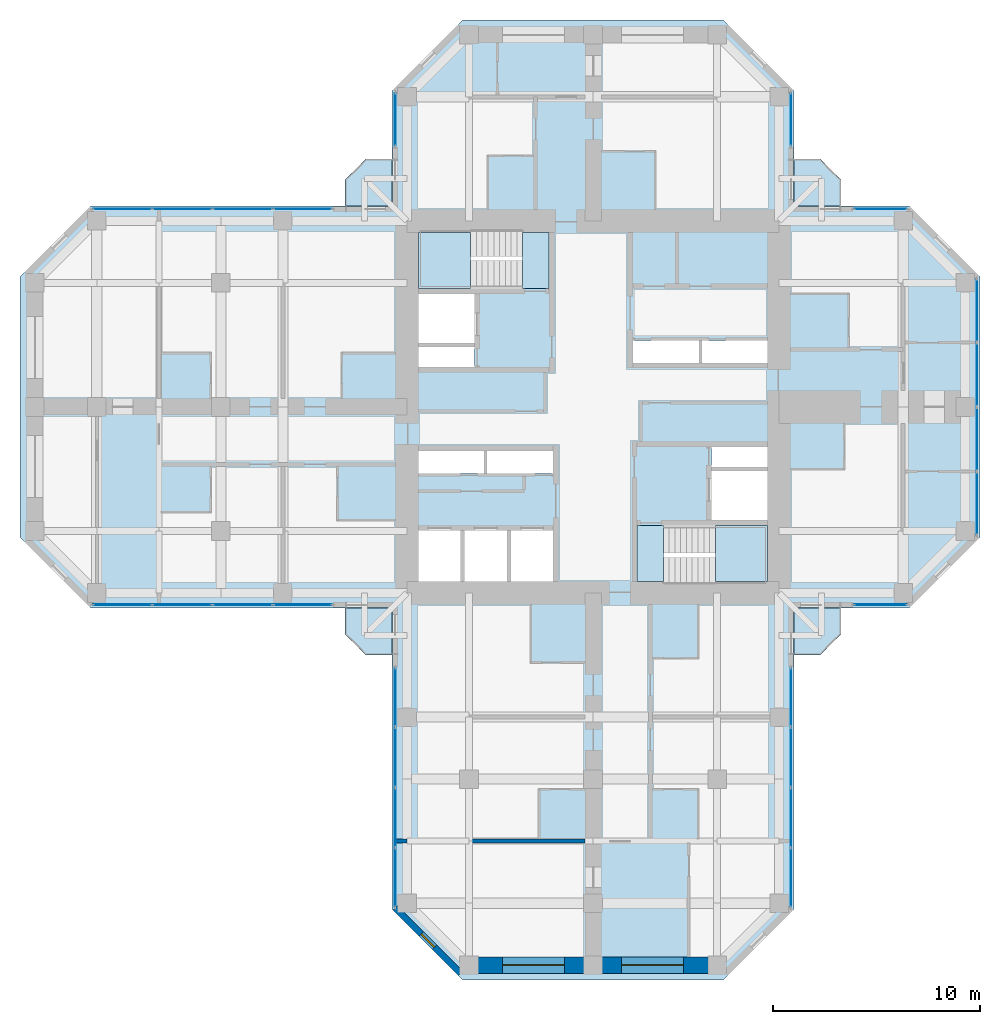
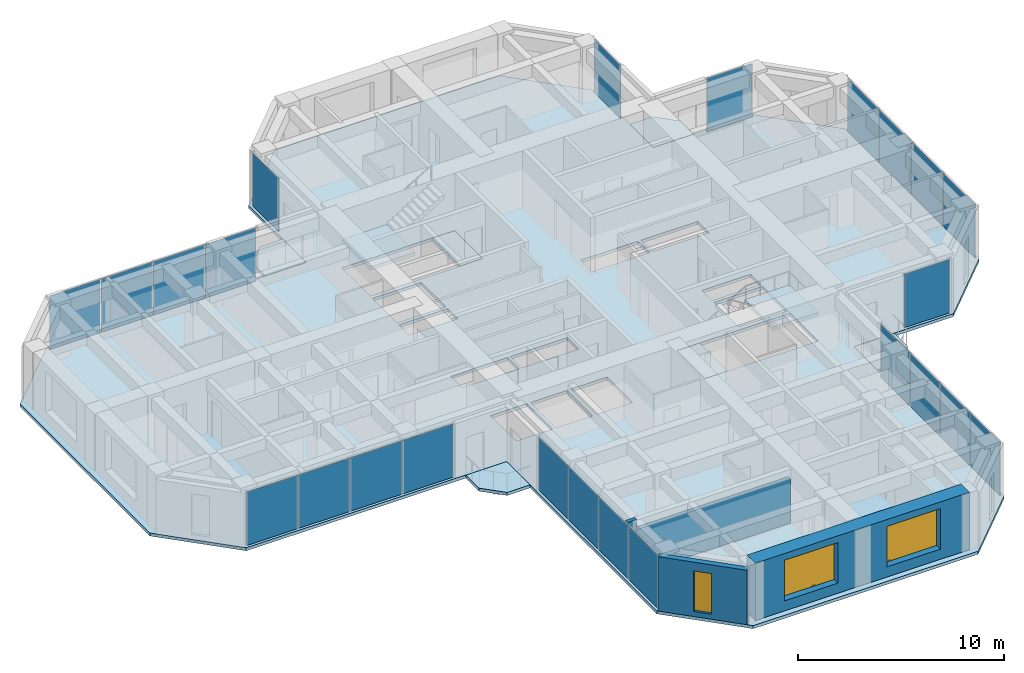
# One storey, part 7 of 14: 24 plates, 9 slabs, 4 walls, 3 windows, 3 openings, 11 elements without a shape of their own.
"""IFC4 building model written with IfcOpenShell, lengths in metres."""

from ifc_helpers import new_model, si_unit, direction, frame, frame_2d, origin, origin_2d, place, context, subcontext, project, spatial, polyline, rectangle, hollow_rectangle, outline, extrude, material, layer, layer_set, constituent, constituent_set, type_object, element, fill, aggregate, save


model = new_model("IFC4")

# Units and contexts
model_context = context("Model", 3, precision=1e-05, world=origin(), true_north=direction((0.0, 1.0)))
body_context = subcontext(model_context, "Body", "Model", "MODEL_VIEW")
ifc_project = project(units=[si_unit("LENGTHUNIT", "METRE"), si_unit("AREAUNIT", "SQUARE_METRE"), si_unit("VOLUMEUNIT", "CUBIC_METRE"), si_unit("PLANEANGLEUNIT", "RADIAN"), si_unit("MASSUNIT", "GRAM", prefix="KILO")], contexts=[model_context])

# Site, building, storey
site_placement = place(None, origin())
site = spatial("IfcSite", under=ifc_project, at=site_placement, CompositionType="ELEMENT")
building_placement = place(site_placement, origin())
building = spatial("IfcBuilding", under=site, at=building_placement, Name="Torre Cruceta", CompositionType="ELEMENT")
storey_placement = place(building_placement, frame((0.0, 0.0, 172.89990234375)))
storey = spatial("IfcBuildingStorey", under=building, at=storey_placement, Name="L42", CompositionType="ELEMENT", Elevation=172.89990234375)

# Slabs
ifc_material_1 = material(Name="Concrete G35 (fck 35 MPa)", Category="concrete")
ifc_layer_1 = layer(ifc_material_1, 0.179931640625)
ifc_layer_set_1 = layer_set([ifc_layer_1], Name="Concrete G35 (fck 35 MPa)")
slab_type_1 = type_object("IfcSlabType", Name="BALCONY SLAB 180", PredefinedType="USERDEFINED", material=ifc_layer_set_1)
slab_1_placement = place(storey_placement, frame((0.0, 0.0, -0.179931640625)))
element("IfcSlab", 1, at=slab_1_placement, inside=storey, type_object=slab_type_1, Name="Balcony slab L42 N", ObjectType="BALCONY", PredefinedType="USERDEFINED", context=body_context, shape_type="SweptSolid", body=[
    extrude(outline(polyline([(-12.0, 11.0), (-11.0, 12.0), (-9.719970703125, 12.0), (-9.719970703125, 9.719970703125), (-12.0, 9.719970703125), (-12.0, 11.0)])), origin(), (0.0, 0.0, 1.0), 0.179931640625),
])
slab_2_placement = place(storey_placement, frame((0.0, 0.0, -0.179931640625)))
element("IfcSlab", 2, at=slab_2_placement, inside=storey, type_object=slab_type_1, Name="Balcony slab L42 E", ObjectType="BALCONY", PredefinedType="USERDEFINED", context=body_context, shape_type="SweptSolid", body=[
    extrude(outline(polyline([(11.0, 12.0), (12.0, 11.0), (12.0, 9.719970703125), (9.719970703125, 9.719970703125), (9.719970703125, 12.0), (11.0, 12.0)])), origin(), (0.0, 0.0, 1.0), 0.179931640625),
])
slab_3_placement = place(storey_placement, frame((0.0, 0.0, -0.179931640625)))
element("IfcSlab", 3, at=slab_3_placement, inside=storey, type_object=slab_type_1, Name="Balcony slab L42 S", ObjectType="BALCONY", PredefinedType="USERDEFINED", context=body_context, shape_type="SweptSolid", body=[
    extrude(outline(polyline([(12.0, -11.0), (11.0, -12.0), (9.719970703125, -12.0), (9.719970703125, -9.719970703125), (12.0, -9.719970703125), (12.0, -11.0)])), origin(), (0.0, 0.0, 1.0), 0.179931640625),
])
slab_4_placement = place(storey_placement, frame((0.0, 0.0, -0.179931640625)))
element("IfcSlab", 4, at=slab_4_placement, inside=storey, type_object=slab_type_1, Name="Balcony slab L42 W", ObjectType="BALCONY", PredefinedType="USERDEFINED", context=body_context, shape_type="SweptSolid", body=[
    extrude(outline(polyline([(-11.0, -12.0), (-12.0, -11.0), (-12.0, -9.719970703125), (-9.719970703125, -9.719970703125), (-9.719970703125, -12.0), (-11.0, -12.0)])), origin(), (0.0, 0.0, 1.0), 0.179931640625),
])

# Curtain wall, plate
ifc_material_2 = material(Name="Aluminium unitised curtain wall", Category="aluminium")
curtain_wall_type = type_object("IfcCurtainWallType", Name="CURTAIN WALL CW-C CO-LIVING", PredefinedType="USERDEFINED", material=ifc_material_2)
curtain_wall_1_placement = place(storey_placement, origin())
curtain_wall_1 = element("IfcCurtainWall", 5, at=curtain_wall_1_placement, inside=storey, type_object=curtain_wall_type, Name="CW-C L42 E tip 02", ObjectType="UNITISED", PredefinedType="USERDEFINED")
ifc_material_3 = material(Name="Laminated insulating glass unit, low-iron clear", Category="glass")
ifc_material_4 = material(Name="Laminated insulating glass unit, diagonal frit 50 %", Category="glass")
ifc_layer_2 = layer(ifc_material_4, 0.030029296875)
ifc_layer_set_2 = layer_set([ifc_layer_2], Name="Laminated insulating glass unit, diagonal frit 50 %")
plate_type_1 = type_object("IfcPlateType", Name="CW-C OPERABLE VENT PANEL 30", PredefinedType="CURTAIN_PANEL", material=ifc_layer_set_2)
plate_1_placement = place(storey_placement, frame((18.570068359375, -1.55908203125, 0.01025390625), z_axis=(0.0, 0.0, 1.0), x_axis=(0.0, 1.0, 0.0)))
plate_1 = element("IfcPlate", 6, at=plate_1_placement, type_object=plate_type_1, material=ifc_material_3, Name="CW-C vent 2", PredefinedType="CURTAIN_PANEL", context=body_context, shape_type="SweptSolid", body=[
    extrude(rectangle(XDim=3.05810546875, YDim=0.030029296875, at=origin_2d()), origin(), (0.0, 0.0, 1.0), 3.14990234375),
])

curtain_wall_2_placement = place(storey_placement, origin())
curtain_wall_2 = element("IfcCurtainWall", 7, at=curtain_wall_2_placement, inside=storey, type_object=curtain_wall_type, Name="CW-C L42 W side 10", ObjectType="UNITISED", PredefinedType="USERDEFINED")
plate_2_placement = place(storey_placement, frame((-16.94482421875, 9.570068359375, 0.01025390625), z_axis=(0.0, 0.0, 1.0), x_axis=(-1.0, 0.0, 0.0)))
plate_2 = element("IfcPlate", 8, at=plate_2_placement, type_object=plate_type_1, material=ifc_material_3, Name="CW-C vent 2", PredefinedType="CURTAIN_PANEL", context=body_context, shape_type="SweptSolid", body=[
    extrude(rectangle(XDim=2.8564453125, YDim=0.030029296875, at=origin_2d()), origin(), (0.0, 0.0, 1.0), 3.14990234375),
])

curtain_wall_3_placement = place(storey_placement, origin())
curtain_wall_3 = element("IfcCurtainWall", 9, at=curtain_wall_3_placement, inside=storey, type_object=curtain_wall_type, Name="CW-C L42 W side 14", ObjectType="UNITISED", PredefinedType="USERDEFINED")
plate_3_placement = place(storey_placement, frame((-19.861328125, -9.570068359375, 0.01025390625), z_axis=(0.0, 0.0, 1.0), x_axis=(1.0, 0.0, 0.0)))
plate_3 = element("IfcPlate", 10, at=plate_3_placement, type_object=plate_type_1, material=ifc_material_3, Name="CW-C vent 2", PredefinedType="CURTAIN_PANEL", context=body_context, shape_type="SweptSolid", body=[
    extrude(rectangle(XDim=2.8564453125, YDim=0.030029296875, at=origin_2d()), origin(), (0.0, 0.0, 1.0), 3.14990234375),
])

curtain_wall_4_placement = place(storey_placement, origin())
curtain_wall_4 = element("IfcCurtainWall", 11, at=curtain_wall_4_placement, inside=storey, type_object=curtain_wall_type, Name="CW-C L42 S side 15", ObjectType="UNITISED", PredefinedType="USERDEFINED")
plate_4_placement = place(storey_placement, frame((-9.570068359375, -16.94482421875, 0.01025390625), z_axis=(0.0, 0.0, 1.0), x_axis=(0.0, -1.0, 0.0)))
plate_4 = element("IfcPlate", 12, at=plate_4_placement, type_object=plate_type_1, material=ifc_material_3, Name="CW-C vent 2", PredefinedType="CURTAIN_PANEL", context=body_context, shape_type="SweptSolid", body=[
    extrude(rectangle(XDim=2.8564453125, YDim=0.030029296875, at=origin_2d()), origin(), (0.0, 0.0, 1.0), 3.14990234375),
])

curtain_wall_5_placement = place(storey_placement, origin())
curtain_wall_5 = element("IfcCurtainWall", 13, at=curtain_wall_5_placement, inside=storey, type_object=curtain_wall_type, Name="CW-C L42 S side 19", ObjectType="UNITISED", PredefinedType="USERDEFINED")
plate_5_placement = place(storey_placement, frame((9.570068359375, -19.861328125, 0.01025390625), z_axis=(0.0, 0.0, 1.0), x_axis=(0.0, 1.0, 0.0)))
plate_5 = element("IfcPlate", 14, at=plate_5_placement, type_object=plate_type_1, material=ifc_material_3, Name="CW-C vent 2", PredefinedType="CURTAIN_PANEL", context=body_context, shape_type="SweptSolid", body=[
    extrude(rectangle(XDim=2.8564453125, YDim=0.030029296875, at=origin_2d()), origin(), (0.0, 0.0, 1.0), 3.14990234375),
])

curtain_wall_6_placement = place(storey_placement, origin())
curtain_wall_6 = element("IfcCurtainWall", 15, at=curtain_wall_6_placement, inside=storey, type_object=curtain_wall_type, Name="CW-C L42 E side 00", ObjectType="UNITISED", PredefinedType="USERDEFINED")
ifc_material_5 = material(Name="Laminated insulating glass unit, diagonal frit 50 %", Category="glass")
ifc_layer_3 = layer(ifc_material_5, 0.030029296875)
ifc_layer_set_3 = layer_set([ifc_layer_3], Name="Laminated insulating glass unit, diagonal frit 50 %")
plate_type_2 = type_object("IfcPlateType", Name="CW-C PANEL 30", PredefinedType="CURTAIN_PANEL", material=ifc_layer_set_3)
plate_6_placement = place(storey_placement, frame((13.903076171875, -9.570068359375, 0.01025390625), z_axis=(0.0, 0.0, 1.0), x_axis=(1.0, 0.0, 0.0)))
plate_6 = element("IfcPlate", 16, at=plate_6_placement, type_object=plate_type_2, material=ifc_material_3, Name="CW-C panel 1", PredefinedType="CURTAIN_PANEL", context=body_context, shape_type="SweptSolid", body=[
    extrude(rectangle(XDim=2.546142578125, YDim=0.030029296875, at=origin_2d()), origin(), (0.0, 0.0, 1.0), 3.14990234375),
])
aggregate(curtain_wall_6, [plate_6])

# Plate
plate_7_placement = place(storey_placement, frame((18.570068359375, -4.662109375, 0.01025390625), z_axis=(0.0, 0.0, 1.0), x_axis=(0.0, 1.0, 0.0)))
plate_7 = element("IfcPlate", 17, at=plate_7_placement, type_object=plate_type_2, material=ifc_material_3, Name="CW-C panel 1", PredefinedType="CURTAIN_PANEL", context=body_context, shape_type="SweptSolid", body=[
    extrude(rectangle(XDim=3.028076171875, YDim=0.030029296875, at=origin_2d()), origin(), (0.0, 0.0, 1.0), 3.14990234375),
])

ifc_material_6 = material(Name="Laminated insulating glass unit, diagonal frit 50 %", Category="glass")
plate_8_placement = place(storey_placement, frame((18.570068359375, 1.55908203125, 0.01025390625), z_axis=(0.0, 0.0, 1.0), x_axis=(0.0, 1.0, 0.0)))
plate_8 = element("IfcPlate", 18, at=plate_8_placement, type_object=plate_type_2, material=ifc_material_6, Name="CW-C panel 3", PredefinedType="CURTAIN_PANEL", context=body_context, shape_type="SweptSolid", body=[
    extrude(rectangle(XDim=3.05810546875, YDim=0.030029296875, at=origin_2d()), origin(), (0.0, 0.0, 1.0), 3.14990234375),
])

plate_9_placement = place(storey_placement, frame((18.570068359375, 4.662109375, 0.01025390625), z_axis=(0.0, 0.0, 1.0), x_axis=(0.0, 1.0, 0.0)))
plate_9 = element("IfcPlate", 19, at=plate_9_placement, type_object=plate_type_2, material=ifc_material_6, Name="CW-C panel 4", PredefinedType="CURTAIN_PANEL", context=body_context, shape_type="SweptSolid", body=[
    extrude(rectangle(XDim=3.028076171875, YDim=0.030029296875, at=origin_2d()), origin(), (0.0, 0.0, 1.0), 3.14990234375),
])

aggregate(curtain_wall_1, [plate_7, plate_1, plate_8, plate_9])

# Curtain wall, plate
curtain_wall_7_placement = place(storey_placement, origin())
curtain_wall_7 = element("IfcCurtainWall", 20, at=curtain_wall_7_placement, inside=storey, type_object=curtain_wall_type, Name="CW-C L42 E side 04", ObjectType="UNITISED", PredefinedType="USERDEFINED")
plate_10_placement = place(storey_placement, frame((13.903076171875, 9.570068359375, 0.01025390625), z_axis=(0.0, 0.0, 1.0), x_axis=(-1.0, 0.0, 0.0)))
plate_10 = element("IfcPlate", 21, at=plate_10_placement, type_object=plate_type_2, material=ifc_material_3, Name="CW-C panel 1", PredefinedType="CURTAIN_PANEL", context=body_context, shape_type="SweptSolid", body=[
    extrude(rectangle(XDim=2.546142578125, YDim=0.030029296875, at=origin_2d()), origin(), (0.0, 0.0, 1.0), 3.14990234375),
])
aggregate(curtain_wall_7, [plate_10])

curtain_wall_8_placement = place(storey_placement, origin())
curtain_wall_8 = element("IfcCurtainWall", 22, at=curtain_wall_8_placement, inside=storey, type_object=curtain_wall_type, Name="CW-C L42 N side 05", ObjectType="UNITISED", PredefinedType="USERDEFINED")
plate_11_placement = place(storey_placement, frame((9.570068359375, 13.903076171875, 0.01025390625), z_axis=(0.0, 0.0, 1.0), x_axis=(0.0, 1.0, 0.0)))
plate_11 = element("IfcPlate", 23, at=plate_11_placement, type_object=plate_type_2, material=ifc_material_3, Name="CW-C panel 1", PredefinedType="CURTAIN_PANEL", context=body_context, shape_type="SweptSolid", body=[
    extrude(rectangle(XDim=2.546142578125, YDim=0.030029296875, at=origin_2d()), origin(), (0.0, 0.0, 1.0), 3.14990234375),
])
aggregate(curtain_wall_8, [plate_11])

curtain_wall_9_placement = place(storey_placement, origin())
curtain_wall_9 = element("IfcCurtainWall", 24, at=curtain_wall_9_placement, inside=storey, type_object=curtain_wall_type, Name="CW-C L42 N side 09", ObjectType="UNITISED", PredefinedType="USERDEFINED")
plate_12_placement = place(storey_placement, frame((-9.570068359375, 13.903076171875, 0.01025390625), z_axis=(0.0, 0.0, 1.0), x_axis=(0.0, -1.0, 0.0)))
plate_12 = element("IfcPlate", 25, at=plate_12_placement, type_object=plate_type_2, material=ifc_material_3, Name="CW-C panel 1", PredefinedType="CURTAIN_PANEL", context=body_context, shape_type="SweptSolid", body=[
    extrude(rectangle(XDim=2.546142578125, YDim=0.030029296875, at=origin_2d()), origin(), (0.0, 0.0, 1.0), 3.14990234375),
])
aggregate(curtain_wall_9, [plate_12])

# Plate
plate_13_placement = place(storey_placement, frame((-14.043212890625, 9.570068359375, 0.01025390625), z_axis=(0.0, 0.0, 1.0), x_axis=(-1.0, 0.0, 0.0)))
plate_13 = element("IfcPlate", 26, at=plate_13_placement, type_object=plate_type_2, material=ifc_material_3, Name="CW-C panel 1", PredefinedType="CURTAIN_PANEL", context=body_context, shape_type="SweptSolid", body=[
    extrude(rectangle(XDim=2.826416015625, YDim=0.030029296875, at=origin_2d()), origin(), (0.0, 0.0, 1.0), 3.14990234375),
])

plate_14_placement = place(storey_placement, frame((-19.861328125, 9.570068359375, 0.01025390625), z_axis=(0.0, 0.0, 1.0), x_axis=(-1.0, 0.0, 0.0)))
plate_14 = element("IfcPlate", 27, at=plate_14_placement, type_object=plate_type_2, material=ifc_material_6, Name="CW-C panel 3", PredefinedType="CURTAIN_PANEL", context=body_context, shape_type="SweptSolid", body=[
    extrude(rectangle(XDim=2.8564453125, YDim=0.030029296875, at=origin_2d()), origin(), (0.0, 0.0, 1.0), 3.14990234375),
])

plate_15_placement = place(storey_placement, frame((-22.762939453125, 9.570068359375, 0.01025390625), z_axis=(0.0, 0.0, 1.0), x_axis=(-1.0, 0.0, 0.0)))
plate_15 = element("IfcPlate", 28, at=plate_15_placement, type_object=plate_type_2, material=ifc_material_6, Name="CW-C panel 4", PredefinedType="CURTAIN_PANEL", context=body_context, shape_type="SweptSolid", body=[
    extrude(rectangle(XDim=2.826416015625, YDim=0.030029296875, at=origin_2d()), origin(), (0.0, 0.0, 1.0), 3.14990234375),
])

aggregate(curtain_wall_2, [plate_13, plate_2, plate_14, plate_15])

plate_16_placement = place(storey_placement, frame((-22.762939453125, -9.570068359375, 0.01025390625), z_axis=(0.0, 0.0, 1.0), x_axis=(1.0, 0.0, 0.0)))
plate_16 = element("IfcPlate", 29, at=plate_16_placement, type_object=plate_type_2, material=ifc_material_3, Name="CW-C panel 1", PredefinedType="CURTAIN_PANEL", context=body_context, shape_type="SweptSolid", body=[
    extrude(rectangle(XDim=2.826416015625, YDim=0.030029296875, at=origin_2d()), origin(), (0.0, 0.0, 1.0), 3.14990234375),
])

plate_17_placement = place(storey_placement, frame((-16.94482421875, -9.570068359375, 0.01025390625), z_axis=(0.0, 0.0, 1.0), x_axis=(1.0, 0.0, 0.0)))
plate_17 = element("IfcPlate", 30, at=plate_17_placement, type_object=plate_type_2, material=ifc_material_6, Name="CW-C panel 3", PredefinedType="CURTAIN_PANEL", context=body_context, shape_type="SweptSolid", body=[
    extrude(rectangle(XDim=2.8564453125, YDim=0.030029296875, at=origin_2d()), origin(), (0.0, 0.0, 1.0), 3.14990234375),
])

plate_18_placement = place(storey_placement, frame((-14.043212890625, -9.570068359375, 0.01025390625), z_axis=(0.0, 0.0, 1.0), x_axis=(1.0, 0.0, 0.0)))
plate_18 = element("IfcPlate", 31, at=plate_18_placement, type_object=plate_type_2, material=ifc_material_6, Name="CW-C panel 4", PredefinedType="CURTAIN_PANEL", context=body_context, shape_type="SweptSolid", body=[
    extrude(rectangle(XDim=2.826416015625, YDim=0.030029296875, at=origin_2d()), origin(), (0.0, 0.0, 1.0), 3.14990234375),
])

aggregate(curtain_wall_3, [plate_16, plate_3, plate_17, plate_18])

plate_19_placement = place(storey_placement, frame((-9.570068359375, -14.043212890625, 0.01025390625), z_axis=(0.0, 0.0, 1.0), x_axis=(0.0, -1.0, 0.0)))
plate_19 = element("IfcPlate", 32, at=plate_19_placement, type_object=plate_type_2, material=ifc_material_3, Name="CW-C panel 1", PredefinedType="CURTAIN_PANEL", context=body_context, shape_type="SweptSolid", body=[
    extrude(rectangle(XDim=2.826416015625, YDim=0.030029296875, at=origin_2d()), origin(), (0.0, 0.0, 1.0), 3.14990234375),
])

plate_20_placement = place(storey_placement, frame((-9.570068359375, -19.861328125, 0.01025390625), z_axis=(0.0, 0.0, 1.0), x_axis=(0.0, -1.0, 0.0)))
plate_20 = element("IfcPlate", 33, at=plate_20_placement, type_object=plate_type_2, material=ifc_material_6, Name="CW-C panel 3", PredefinedType="CURTAIN_PANEL", context=body_context, shape_type="SweptSolid", body=[
    extrude(rectangle(XDim=2.8564453125, YDim=0.030029296875, at=origin_2d()), origin(), (0.0, 0.0, 1.0), 3.14990234375),
])

plate_21_placement = place(storey_placement, frame((-9.570068359375, -22.762939453125, 0.01025390625), z_axis=(0.0, 0.0, 1.0), x_axis=(0.0, -1.0, 0.0)))
plate_21 = element("IfcPlate", 34, at=plate_21_placement, type_object=plate_type_2, material=ifc_material_6, Name="CW-C panel 4", PredefinedType="CURTAIN_PANEL", context=body_context, shape_type="SweptSolid", body=[
    extrude(rectangle(XDim=2.826416015625, YDim=0.030029296875, at=origin_2d()), origin(), (0.0, 0.0, 1.0), 3.14990234375),
])

aggregate(curtain_wall_4, [plate_19, plate_4, plate_20, plate_21])

plate_22_placement = place(storey_placement, frame((9.570068359375, -22.762939453125, 0.01025390625), z_axis=(0.0, 0.0, 1.0), x_axis=(0.0, 1.0, 0.0)))
plate_22 = element("IfcPlate", 35, at=plate_22_placement, type_object=plate_type_2, material=ifc_material_3, Name="CW-C panel 1", PredefinedType="CURTAIN_PANEL", context=body_context, shape_type="SweptSolid", body=[
    extrude(rectangle(XDim=2.826416015625, YDim=0.030029296875, at=origin_2d()), origin(), (0.0, 0.0, 1.0), 3.14990234375),
])

plate_23_placement = place(storey_placement, frame((9.570068359375, -16.94482421875, 0.01025390625), z_axis=(0.0, 0.0, 1.0), x_axis=(0.0, 1.0, 0.0)))
plate_23 = element("IfcPlate", 36, at=plate_23_placement, type_object=plate_type_2, material=ifc_material_6, Name="CW-C panel 3", PredefinedType="CURTAIN_PANEL", context=body_context, shape_type="SweptSolid", body=[
    extrude(rectangle(XDim=2.8564453125, YDim=0.030029296875, at=origin_2d()), origin(), (0.0, 0.0, 1.0), 3.14990234375),
])

plate_24_placement = place(storey_placement, frame((9.570068359375, -14.043212890625, 0.01025390625), z_axis=(0.0, 0.0, 1.0), x_axis=(0.0, 1.0, 0.0)))
plate_24 = element("IfcPlate", 37, at=plate_24_placement, type_object=plate_type_2, material=ifc_material_6, Name="CW-C panel 4", PredefinedType="CURTAIN_PANEL", context=body_context, shape_type="SweptSolid", body=[
    extrude(rectangle(XDim=2.826416015625, YDim=0.030029296875, at=origin_2d()), origin(), (0.0, 0.0, 1.0), 3.14990234375),
])

aggregate(curtain_wall_5, [plate_22, plate_5, plate_23, plate_24])

# Slab
ifc_material_7 = material(Name="Concrete G35 (fck 35 MPa)", Category="concrete")
ifc_layer_4 = layer(ifc_material_7, 0.179931640625)
ifc_layer_set_4 = layer_set([ifc_layer_4], Name="Concrete G35 (fck 35 MPa)")
slab_type_2 = type_object("IfcSlabType", Name="FLOOR SLAB 180", PredefinedType="FLOOR", material=ifc_layer_set_4)
slab_5_placement = place(storey_placement, frame((0.0, 0.0, -0.179931640625)))
element("IfcSlab", 38, at=slab_5_placement, inside=storey, type_object=slab_type_2, Name="Floor Slab L42", PredefinedType="FLOOR", context=body_context, shape_type="SweptSolid", body=[
    extrude(outline(polyline([(9.719970703125, -9.719970703125), (9.719970703125, -24.29833984375), (6.29833984375, -27.719970703125), (-6.29833984375, -27.719970703125), (-9.719970703125, -24.29833984375), (-9.719970703125, -9.719970703125), (-24.29833984375, -9.719970703125), (-27.719970703125, -6.29833984375), (-27.719970703125, 6.29833984375), (-24.29833984375, 9.719970703125), (-9.719970703125, 9.719970703125), (-9.719970703125, 15.29833984375), (-6.29833984375, 18.719970703125), (6.29833984375, 18.719970703125), (9.719970703125, 15.29833984375), (9.719970703125, 9.719970703125), (15.29833984375, 9.719970703125), (18.719970703125, 6.29833984375), (18.719970703125, -6.29833984375), (15.29833984375, -9.719970703125), (9.719970703125, -9.719970703125)]), holes=[polyline([(1.925048828125, 2.125), (5.125, 2.125), (5.125, 3.22509765625), (1.925048828125, 3.22509765625), (1.925048828125, 2.125)]), polyline([(5.27490234375, 2.125), (8.449951171875, 2.125), (8.449951171875, 3.22509765625), (5.27490234375, 3.22509765625), (5.27490234375, 2.125)]), polyline([(-8.449951171875, 3.10009765625), (-5.72509765625, 3.10009765625), (-5.72509765625, 5.47509765625), (-8.449951171875, 5.47509765625), (-8.449951171875, 3.10009765625)]), polyline([(-8.449951171875, 1.925048828125), (-5.72509765625, 1.925048828125), (-5.72509765625, 2.89990234375), (-8.449951171875, 2.89990234375), (-8.449951171875, 1.925048828125)]), polyline([(-3.966552734375, -8.449951171875), (-1.925048828125, -8.449951171875), (-1.925048828125, -5.97509765625), (-3.966552734375, -5.97509765625), (-3.966552734375, -8.449951171875)]), polyline([(-6.208251953125, -8.449951171875), (-4.166748046875, -8.449951171875), (-4.166748046875, -5.97509765625), (-6.208251953125, -5.97509765625), (-6.208251953125, -8.449951171875)]), polyline([(-8.449951171875, -8.449951171875), (-6.408447265625, -8.449951171875), (-6.408447265625, -5.97509765625), (-8.449951171875, -5.97509765625), (-8.449951171875, -8.449951171875)]), polyline([(-5.125, -3.22509765625), (-1.925048828125, -3.22509765625), (-1.925048828125, -2.125), (-5.125, -2.125), (-5.125, -3.22509765625)]), polyline([(-8.449951171875, -3.22509765625), (-5.27490234375, -3.22509765625), (-5.27490234375, -2.125), (-8.449951171875, -2.125), (-8.449951171875, -3.22509765625)]), polyline([(5.72509765625, -5.47509765625), (8.449951171875, -5.47509765625), (8.449951171875, -3.10009765625), (5.72509765625, -3.10009765625), (5.72509765625, -5.47509765625)]), polyline([(5.72509765625, -2.89990234375), (8.449951171875, -2.89990234375), (8.449951171875, -1.925048828125), (5.72509765625, -1.925048828125), (5.72509765625, -2.89990234375)]), polyline([(-8.449951171875, 5.72509765625), (-8.449951171875, 8.449951171875), (-3.39990234375, 8.449951171875), (-2.125, 8.449951171875), (-2.125, 5.72509765625), (-3.39990234375, 5.72509765625), (-8.449951171875, 5.72509765625)]), polyline([(2.125, -5.72509765625), (3.39990234375, -5.72509765625), (8.449951171875, -5.72509765625), (8.449951171875, -8.449951171875), (3.39990234375, -8.449951171875), (2.125, -8.449951171875), (2.125, -5.72509765625)])]), origin(), (0.0, 0.0, 1.0), 0.179931640625),
])

# Stair, slab
ifc_material_8 = material(Name="Concrete G30 (fck 30 MPa)", Category="concrete")
stair_type = type_object("IfcStairType", Name="STAIR HALF-TURN 1300", PredefinedType="HALF_TURN_STAIR", material=ifc_material_8)
stair_1_placement = place(storey_placement, origin())
stair_1 = element("IfcStair", 39, at=stair_1_placement, inside=storey, type_object=stair_type, Name="Stair ST1 L42", PredefinedType="HALF_TURN_STAIR")
ifc_material_9 = material(Name="Concrete G30 (fck 30 MPa)", Category="concrete")
ifc_layer_5 = layer(ifc_material_9, 0.199951171875)
ifc_layer_set_5 = layer_set([ifc_layer_5], Name="Concrete G30 (fck 30 MPa)")
slab_type_3 = type_object("IfcSlabType", Name="STAIR LANDING 200", PredefinedType="LANDING", material=ifc_layer_set_5)
slab_6_placement = place(storey_placement, frame((0.0, 0.0, 1.5)))
slab_6 = element("IfcSlab", 40, at=slab_6_placement, type_object=slab_type_3, Name="ST1 landing 1", PredefinedType="LANDING", context=body_context, shape_type="SweptSolid", body=[
    extrude(outline(polyline([(-8.449951171875, 5.72509765625), (-5.919921875, 5.72509765625), (-5.919921875, 8.449951171875), (-8.449951171875, 8.449951171875), (-8.449951171875, 5.72509765625)])), origin(), (0.0, 0.0, 1.0), 0.2001953125),
])
aggregate(stair_1, [slab_6])

stair_2_placement = place(storey_placement, origin())
stair_2 = element("IfcStair", 41, at=stair_2_placement, inside=storey, type_object=stair_type, Name="Stair ST2 L42", PredefinedType="HALF_TURN_STAIR")
slab_7_placement = place(storey_placement, frame((0.0, 0.0, 1.5)))
slab_7 = element("IfcSlab", 42, at=slab_7_placement, type_object=slab_type_3, Name="ST2 landing 1", PredefinedType="LANDING", context=body_context, shape_type="SweptSolid", body=[
    extrude(outline(polyline([(5.919921875, -8.449951171875), (8.449951171875, -8.449951171875), (8.449951171875, -5.72509765625), (5.919921875, -5.72509765625), (5.919921875, -8.449951171875)])), origin(), (0.0, 0.0, 1.0), 0.2001953125),
])
aggregate(stair_2, [slab_7])

# Slabs
slab_8_placement = place(storey_placement, frame((0.0, 0.0, -0.199951171875)))
element("IfcSlab", 43, at=slab_8_placement, inside=storey, type_object=slab_type_3, Name="Stair ST1 floor landing L42", PredefinedType="LANDING", context=body_context, shape_type="SweptSolid", body=[
    extrude(outline(polyline([(-2.125, 8.449951171875), (-2.125, 5.72509765625), (-3.39990234375, 5.72509765625), (-3.39990234375, 8.449951171875), (-2.125, 8.449951171875)])), origin(), (0.0, 0.0, 1.0), 0.199951171875),
])
slab_9_placement = place(storey_placement, frame((0.0, 0.0, -0.199951171875)))
element("IfcSlab", 44, at=slab_9_placement, inside=storey, type_object=slab_type_3, Name="Stair ST2 floor landing L42", PredefinedType="LANDING", context=body_context, shape_type="SweptSolid", body=[
    extrude(outline(polyline([(2.125, -8.449951171875), (2.125, -5.72509765625), (3.39990234375, -5.72509765625), (3.39990234375, -8.449951171875), (2.125, -8.449951171875)])), origin(), (0.0, 0.0, 1.0), 0.199951171875),
])

# Wall, opening, window
ifc_material_10 = material(Name="Concrete G30 (fck 30 MPa)", Category="concrete")
ifc_layer_6 = layer(ifc_material_10, 0.300048828125)
ifc_layer_set_6 = layer_set([ifc_layer_6], Name="Concrete G30 (fck 30 MPa)")
wall_type_1 = type_object("IfcWallType", Name="EXPOSED CONCRETE FACADE WALL 300", PredefinedType="SOLIDWALL", material=ifc_layer_set_6)
wall_1_placement = place(storey_placement, frame((-9.570068359375, -24.236083984375, 0.0), z_axis=(0.0, 0.0, 1.0), x_axis=(0.707134062067, -0.707079499254, 0.0)))
wall_1 = element("IfcWall", 45, at=wall_1_placement, inside=storey, type_object=wall_type_1, Name="EW1 facade wall L42 S chamfer 16", PredefinedType="SOLIDWALL", context=body_context, shape_type="SweptSolid", body=[
    extrude(rectangle(XDim=4.474609375, YDim=0.300048828125, at=frame_2d((2.2373046875, 0.0))), origin(), (0.0, 0.0, 1.0), 3.22021484375),
])
opening_1_placement = place(wall_1_placement, frame((1.787109375, 0.0, 0.300048828125)))
opening_1 = element("IfcOpeningElement", 46, at=opening_1_placement, cuts=wall_1, Name="Opening WN5", PredefinedType="OPENING", context=body_context, shape_type="SweptSolid", body=[
    extrude(rectangle(XDim=0.89990234375, YDim=2.39990234375, at=frame_2d((0.449951171875, 1.199951171875))), frame((0.0, 0.159912109375, 0.0), z_axis=(0.0, -1.0, 0.0), x_axis=(1.0, 0.0, 0.0)), (0.0, 0.0, 1.0), 0.320068359375),
])
ifc_material_11 = material(Name="Aluminium window frame", Category="aluminium")
ifc_constituent_1 = constituent(ifc_material_11, Name="Frame")
ifc_material_12 = material(Name="Laminated insulating glass unit, low-iron clear", Category="glass")
ifc_constituent_2 = constituent(ifc_material_12, Name="Glazing")
ifc_constituent_set_1 = constituent_set(constituents=[ifc_constituent_1, ifc_constituent_2], Name="Aluminium window")
window_type_1 = type_object("IfcWindowType", Name="CHAMFER SLOT WINDOW 900X2400", PartitioningType="SINGLE_PANEL", PredefinedType="WINDOW", material=ifc_constituent_set_1)
window_1_placement = place(opening_1_placement, origin())
window_1 = element("IfcWindow", 47, at=window_1_placement, inside=storey, type_object=window_type_1, Name="WN5 L42 S 1", OverallHeight=2.39990234375, OverallWidth=0.89990234375, PartitioningType="SINGLE_PANEL", PredefinedType="WINDOW", context=body_context, shape_type="SweptSolid", body=[
    extrude(hollow_rectangle(XDim=0.89990234375, YDim=2.39990234375, WallThickness=0.06005859375, at=frame_2d((0.449951171875, 1.199951171875))), frame((0.0, 0.030029296875, 0.0), z_axis=(0.0, -1.0, 0.0), x_axis=(1.0, 0.0, 0.0)), (0.0, 0.0, 1.0), 0.06005859375),
    extrude(rectangle(XDim=0.77880859375, YDim=2.27880859375, at=frame_2d((0.449951171875, 1.199951171875))), frame((0.0, 0.030029296875, 0.0), z_axis=(0.0, -1.0, 0.0), x_axis=(1.0, 0.0, 0.0)), (0.0, 0.0, 1.0), 0.06005859375),
])
fill(opening_1, window_1)

# Wall, openings, windows
ifc_material_13 = material(Name="Concrete G60 (fck 60 MPa)", Category="concrete")
ifc_layer_7 = layer(ifc_material_13, 0.800048828125)
ifc_layer_set_7 = layer_set([ifc_layer_7], Name="Concrete G60 (fck 60 MPa)")
wall_type_2 = type_object("IfcWallType", Name="NOSE WALL 800 G60", PredefinedType="SHEAR", material=ifc_layer_set_7)
wall_2_placement = place(storey_placement, frame((-6.0, -27.0, 0.0), z_axis=(0.0, 0.0, 1.0), x_axis=(1.0, 0.0, 0.0)))
wall_2 = element("IfcWall", 48, at=wall_2_placement, inside=storey, type_object=wall_type_2, Name="NW2 nose wall L42 S", PredefinedType="SHEAR", context=body_context, shape_type="SweptSolid", body=[
    extrude(rectangle(XDim=12.0, YDim=0.800048828125, at=frame_2d((6.0, 0.0))), origin(), (0.0, 0.0, 1.0), 3.400146484375),
])
opening_2_placement = place(wall_2_placement, frame((1.625, 0.0, 0.60009765625)))
opening_2 = element("IfcOpeningElement", 49, at=opening_2_placement, cuts=wall_2, Name="Opening WN6", PredefinedType="OPENING", context=body_context, shape_type="SweptSolid", body=[
    extrude(rectangle(XDim=3.0, YDim=2.39990234375, at=frame_2d((1.5, 1.199951171875))), frame((0.0, 0.409912109375, 0.0), z_axis=(0.0, -1.0, 0.0), x_axis=(1.0, 0.0, 0.0)), (0.0, 0.0, 1.0), 0.820068359375),
])
opening_3_placement = place(wall_2_placement, frame((7.375, 0.0, 0.60009765625)))
opening_3 = element("IfcOpeningElement", 50, at=opening_3_placement, cuts=wall_2, Name="Opening WN6", PredefinedType="OPENING", context=body_context, shape_type="SweptSolid", body=[
    extrude(rectangle(XDim=3.0, YDim=2.39990234375, at=frame_2d((1.5, 1.199951171875))), frame((0.0, 0.409912109375, 0.0), z_axis=(0.0, -1.0, 0.0), x_axis=(1.0, 0.0, 0.0)), (0.0, 0.0, 1.0), 0.820068359375),
])
ifc_material_14 = material(Name="Aluminium window frame", Category="aluminium")
ifc_constituent_3 = constituent(ifc_material_14, Name="Frame")
ifc_material_15 = material(Name="Laminated insulating glass unit, low-iron clear", Category="glass")
ifc_constituent_4 = constituent(ifc_material_15, Name="Glazing")
ifc_constituent_set_2 = constituent_set(constituents=[ifc_constituent_3, ifc_constituent_4], Name="Aluminium window")
window_type_2 = type_object("IfcWindowType", Name="NOSE WALL WINDOW 3000X2400", PartitioningType="SINGLE_PANEL", PredefinedType="WINDOW", material=ifc_constituent_set_2)
window_2_placement = place(opening_2_placement, origin())
window_2 = element("IfcWindow", 51, at=window_2_placement, inside=storey, type_object=window_type_2, Name="WN6 L42 S 1", OverallHeight=2.39990234375, OverallWidth=3.0, PartitioningType="SINGLE_PANEL", PredefinedType="WINDOW", context=body_context, shape_type="SweptSolid", body=[
    extrude(hollow_rectangle(XDim=3.0, YDim=2.39990234375, WallThickness=0.06005859375, at=frame_2d((1.5, 1.199951171875))), frame((0.0, 0.030029296875, 0.0), z_axis=(0.0, -1.0, 0.0), x_axis=(1.0, 0.0, 0.0)), (0.0, 0.0, 1.0), 0.06005859375),
    extrude(rectangle(XDim=2.87890625, YDim=2.27880859375, at=frame_2d((1.5, 1.199951171875))), frame((0.0, 0.030029296875, 0.0), z_axis=(0.0, -1.0, 0.0), x_axis=(1.0, 0.0, 0.0)), (0.0, 0.0, 1.0), 0.06005859375),
])
fill(opening_2, window_2)
window_3_placement = place(opening_3_placement, origin())
window_3 = element("IfcWindow", 52, at=window_3_placement, inside=storey, type_object=window_type_2, Name="WN6 L42 S 2", OverallHeight=2.39990234375, OverallWidth=3.0, PartitioningType="SINGLE_PANEL", PredefinedType="WINDOW", context=body_context, shape_type="SweptSolid", body=[
    extrude(hollow_rectangle(XDim=3.0, YDim=2.39990234375, WallThickness=0.06005859375, at=frame_2d((1.5, 1.199951171875))), frame((0.0, 0.030029296875, 0.0), z_axis=(0.0, -1.0, 0.0), x_axis=(1.0, 0.0, 0.0)), (0.0, 0.0, 1.0), 0.06005859375),
    extrude(rectangle(XDim=2.87890625, YDim=2.27880859375, at=frame_2d((1.5, 1.199951171875))), frame((0.0, 0.030029296875, 0.0), z_axis=(0.0, -1.0, 0.0), x_axis=(1.0, 0.0, 0.0)), (0.0, 0.0, 1.0), 0.06005859375),
])
fill(opening_3, window_3)

# Walls
ifc_material_16 = material(Name="Concrete G25 (fck 25 MPa)", Category="concrete")
ifc_layer_8 = layer(ifc_material_16, 0.199951171875)
ifc_layer_set_8 = layer_set([ifc_layer_8], Name="Concrete G25 (fck 25 MPa)")
wall_type_3 = type_object("IfcWallType", Name="UNIT SEPARATING WALL 200", PredefinedType="SOLIDWALL", material=ifc_layer_set_8)
wall_3_placement = place(storey_placement, frame((-9.530029296875, -21.0, 0.0), z_axis=(0.0, 0.0, 1.0), x_axis=(1.0, 0.0, 0.0)))
element("IfcWall", 53, at=wall_3_placement, inside=storey, type_object=wall_type_3, Name="PT2 L42-S-ENDa", PredefinedType="SOLIDWALL", context=body_context, shape_type="SweptSolid", body=[
    extrude(rectangle(XDim=0.530029296875, YDim=0.199951171875, at=frame_2d((0.26513671875, 0.0))), origin(), (0.0, 0.0, 1.0), 3.22021484375),
])
wall_4_placement = place(storey_placement, frame((-9.0, -21.0, 0.0), z_axis=(0.0, 0.0, 1.0), x_axis=(1.0, 0.0, 0.0)))
element("IfcWall", 54, at=wall_4_placement, inside=storey, type_object=wall_type_3, Name="PT2 L42-S-ENDa 2", PredefinedType="SOLIDWALL", context=body_context, shape_type="SweptSolid", body=[
    extrude(rectangle(XDim=8.60009765625, YDim=0.199951171875, at=frame_2d((4.300048828125, 0.0))), origin(), (0.0, 0.0, 1.0), 2.6201171875),
])

save(model, "model.ifc")
